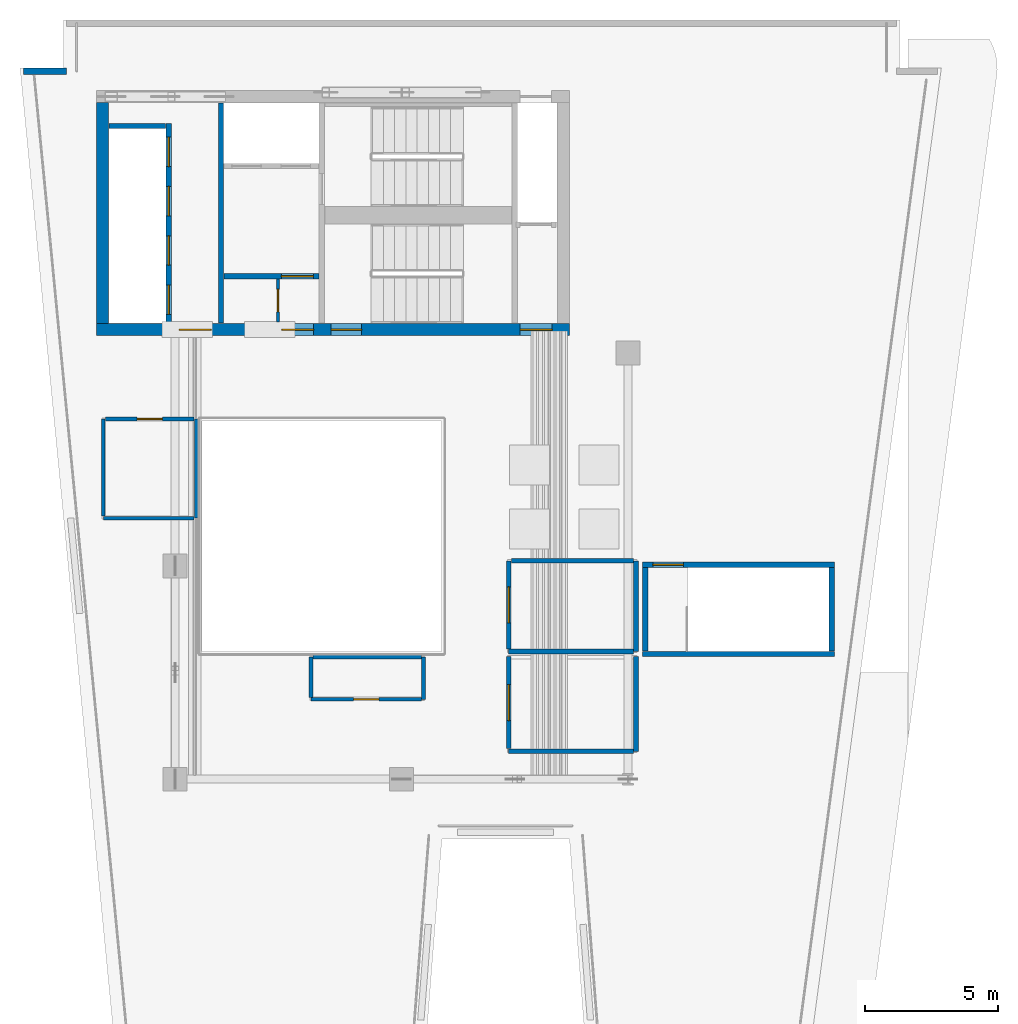
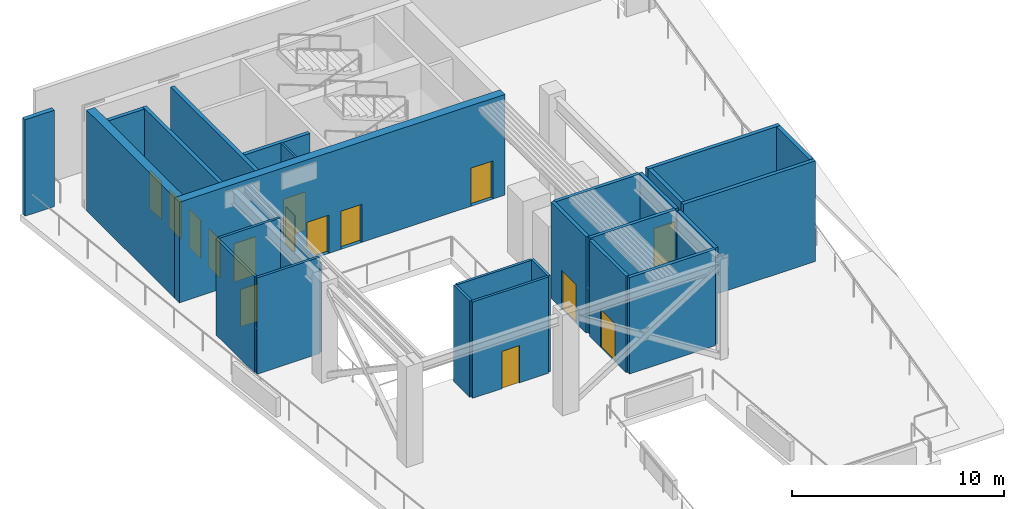
# One storey, part 2 of 8: 27 walls, 15 doors, 15 openings.
"""IFC4 building model written with IfcOpenShell, lengths in metres."""

import ifcopenshell
import ifcopenshell.guid

model = None  # the IFC model being written
_history = None  # IfcOwnerHistory: only IFC2X3 demands one
_inside = {}  # id of a spatial element -> (the spatial element, [elements in it])
_under = {}  # id of a project, library or spatial element -> (it, [spatial elements below it])
_declared = {}  # id of a project -> (the project, [libraries it declares])
_typed = {}  # id of a type object -> (the type object, [elements of that type])
_made_of = {}  # id of a material, layer set ... -> (it, [elements and type objects made of it])


def new_model(schema):
    """Start an empty IFC model of exactly this schema.

    Asked for "IFC4X3", IfcOpenShell would pick the latest addendum, in which some entities
    have other attributes; the version numbers below select the first issue.
    IFC2X3 requires an IfcOwnerHistory on every rooted entity: one is made here for all.
    """
    global model, _history
    if schema == "IFC4X3":
        model = ifcopenshell.file(schema_version=(4, 3, 0, 0))
    else:
        model = ifcopenshell.file(schema=schema)
    _inside.clear()
    _under.clear()
    _declared.clear()
    _typed.clear()
    _made_of.clear()
    _history = None
    if model.schema == "IFC2X3":
        org = make("IfcOrganization", Name="unknown")
        user = make(
            "IfcPersonAndOrganization",
            ThePerson=make("IfcPerson", FamilyName="unknown"),
            TheOrganization=org,
        )
        app = make(
            "IfcApplication",
            ApplicationDeveloper=org,
            Version="unknown",
            ApplicationFullName="unknown",
            ApplicationIdentifier="unknown",
        )
        _history = make(
            "IfcOwnerHistory",
            OwningUser=user,
            OwningApplication=app,
            ChangeAction="ADDED",
            CreationDate=0,
        )
    return model


def make(cls, **values):
    """One entity of the class cls with the attributes given. An attribute that is None is left unset."""
    return model.create_entity(
        cls, **{name: value for name, value in values.items() if value is not None}
    )


def rooted(cls, **values):
    """An entity with a GlobalId (a new one), such as an element, a storey or a relation."""
    return make(cls, GlobalId=ifcopenshell.guid.new(), OwnerHistory=_history, **values)


def si_unit(unit_type, name, prefix=None):
    """IfcSIUnit, for example si_unit("LENGTHUNIT", "METRE", prefix="MILLI")."""
    return make("IfcSIUnit", UnitType=unit_type, Prefix=prefix, Name=name)


def assignment(units):
    """IfcUnitAssignment: the units of a project."""
    return None if units is None else make("IfcUnitAssignment", Units=units)


def point(xyz):
    """IfcCartesianPoint."""
    return None if xyz is None else make("IfcCartesianPoint", Coordinates=xyz)


def direction(xyz):
    """IfcDirection."""
    return None if xyz is None else make("IfcDirection", DirectionRatios=xyz)


def frame(location, z_axis=None, x_axis=None):
    """IfcAxis2Placement3D, a coordinate frame: its origin and axes. An axis left out is left unset."""
    return make(
        "IfcAxis2Placement3D",
        Location=point(location),
        Axis=direction(z_axis),
        RefDirection=direction(x_axis),
    )


def frame_2d(location, x_axis=None):
    """IfcAxis2Placement2D, a coordinate frame in the plane: its origin and x axis."""
    return make(
        "IfcAxis2Placement2D", Location=point(location), RefDirection=direction(x_axis)
    )


def origin():
    """The frame at (0, 0, 0) with its axes left unset."""
    return frame((0.0, 0.0, 0.0))


def place(relative_to, where):
    """IfcLocalPlacement: puts the frame where relative to a parent placement (None: the world)."""
    return make(
        "IfcLocalPlacement", PlacementRelTo=relative_to, RelativePlacement=where
    )


def context(
    kind, dimensions, precision=None, world=None, true_north=None, identifier=None
):
    """IfcGeometricRepresentationContext, for example the 3D "Model" context."""
    return make(
        "IfcGeometricRepresentationContext",
        ContextIdentifier=identifier,
        ContextType=kind,
        CoordinateSpaceDimension=dimensions,
        Precision=precision,
        WorldCoordinateSystem=world,
        TrueNorth=true_north,
    )


def subcontext(parent, identifier, kind, view, scale=None):
    """IfcGeometricRepresentationSubContext, for example "Body" below "Model"."""
    return make(
        "IfcGeometricRepresentationSubContext",
        ContextIdentifier=identifier,
        ContextType=kind,
        ParentContext=parent,
        TargetScale=scale,
        TargetView=view,
    )


def project(units=None, contexts=None):
    """IfcProject with its units and contexts."""
    return rooted(
        "IfcProject",
        Name="project",
        RepresentationContexts=contexts,
        UnitsInContext=assignment(units),
    )


def spatial(cls, under=None, at=None, **own):
    """A site, building, storey or space (cls), placed at a placement, below another one or the project."""
    s = rooted(cls, ObjectPlacement=at, **own)
    if under is not None:
        _under.setdefault(under.id(), (under, []))[1].append(s)
    return s


def profile(cls, at=None, kind="AREA", **sizes):
    """A parametric profile (cls). Its sizes go by their IFC names, for example OverallWidth=200.0."""
    return make(cls, ProfileType=kind, Position=at, **sizes)


def rectangle(**sizes):
    """IfcRectangleProfileDef."""
    return profile("IfcRectangleProfileDef", **sizes)


def extrude(swept, where, along, depth):
    """IfcExtrudedAreaSolid: the profile swept, set in the frame where, extruded along a direction by depth."""
    return make(
        "IfcExtrudedAreaSolid",
        SweptArea=swept,
        Position=where,
        ExtrudedDirection=direction(along),
        Depth=depth,
    )


def shape(context_of_items, identifier, shape_type, items):
    """IfcShapeRepresentation: the items that make up one representation, for example the "Body"."""
    return make(
        "IfcShapeRepresentation",
        ContextOfItems=context_of_items,
        RepresentationIdentifier=identifier,
        RepresentationType=shape_type,
        Items=items,
    )


def material(Name=None, Category=None):
    """IfcMaterial."""
    return make("IfcMaterial", Name=Name, Category=Category)


def layer(
    of_material, thickness, ventilated=None, Name=None, Category=None, Priority=None
):
    """IfcMaterialLayer: one layer of a wall or slab, of a material (None: an air gap)."""
    return make(
        "IfcMaterialLayer",
        Material=of_material,
        LayerThickness=thickness,
        IsVentilated=ventilated,
        Name=Name,
        Category=Category,
        Priority=Priority,
    )


def layer_set(layers, Name=None):
    """IfcMaterialLayerSet."""
    return make("IfcMaterialLayerSet", MaterialLayers=layers, LayerSetName=Name)


def made_of(thing, what):
    """Note that an element or type object is made of a material, layer set ...; save() writes the relation."""
    if what is not None:
        _made_of.setdefault(what.id(), (what, []))[1].append(thing)
    return thing


def type_object(cls, material=None, **own):
    """A type object (cls), such as IfcWallType, which elements share."""
    return made_of(rooted(cls, **own), material)


def element(
    cls,
    number,
    at=None,
    inside=None,
    cuts=None,
    type_object=None,
    material=None,
    context=None,
    identifier="Body",
    shape_type=None,
    held_by="IfcProductDefinitionShape",
    body=None,
    shapes=None,
    **own,
):
    """One element of the class cls, such as IfcWall. Its Tag is "e" and its number.

    at: its placement. inside: the storey or other place that contains it. cuts: it is an
    opening in that element (IfcRelVoidsElement). A single representation is given by context,
    identifier, shape_type and body (its items); several are given by shapes. held_by: the class
    of the entity that holds the representations. save() writes the other relations.
    """
    e = rooted(cls, Tag="e%d" % number, ObjectPlacement=at, **own)
    if body is not None:
        shapes = [shape(context, identifier, shape_type, body)]
    if shapes is not None:
        e.Representation = make(held_by, Representations=shapes)
    if inside is not None:
        _inside.setdefault(inside.id(), (inside, []))[1].append(e)
    if cuts is not None:
        rooted(
            "IfcRelVoidsElement", RelatingBuildingElement=cuts, RelatedOpeningElement=e
        )
    if type_object is not None:
        _typed.setdefault(type_object.id(), (type_object, []))[1].append(e)
    return made_of(e, material)


def fill(opening, filler):
    """IfcRelFillsElement: the door or window that sits in an opening."""
    return rooted(
        "IfcRelFillsElement",
        RelatingOpeningElement=opening,
        RelatedBuildingElement=filler,
    )


def aggregate(whole, parts):
    """IfcRelAggregates: a whole, such as a stair, and the parts it consists of."""
    return rooted("IfcRelAggregates", RelatingObject=whole, RelatedObjects=parts)


def save(model, path):
    """Write the relations noted so far, then the file.

    IfcRelAggregates (storeys below a building ...), IfcRelContainedInSpatialStructure (elements
    in a storey), IfcRelDefinesByType, IfcRelAssociatesMaterial and IfcRelDeclares: one each for
    every whole, place, type object, material and project.
    """
    for whole, parts in _under.values():
        aggregate(whole, parts)
    for where, things in _inside.values():
        rooted(
            "IfcRelContainedInSpatialStructure",
            RelatedElements=things,
            RelatingStructure=where,
        )
    for kind, things in _typed.values():
        rooted("IfcRelDefinesByType", RelatedObjects=things, RelatingType=kind)
    for what, things in _made_of.values():
        rooted("IfcRelAssociatesMaterial", RelatedObjects=things, RelatingMaterial=what)
    for by, libraries in _declared.values():
        rooted("IfcRelDeclares", RelatingContext=by, RelatedDefinitions=libraries)
    model.write(path)


model = new_model("IFC4")

# Units and contexts
model_context = context("Model", 3, precision=1e-05, world=origin(), true_north=direction((0.0, 1.0)))
body_context = subcontext(model_context, "Body", "Model", "MODEL_VIEW")
ifc_project = project(units=[si_unit("LENGTHUNIT", "METRE"), si_unit("AREAUNIT", "SQUARE_METRE"), si_unit("VOLUMEUNIT", "CUBIC_METRE"), si_unit("PLANEANGLEUNIT", "RADIAN"), si_unit("MASSUNIT", "GRAM", prefix="KILO")], contexts=[model_context])

# Site, building, storey
site_placement = place(None, origin())
site = spatial("IfcSite", under=ifc_project, at=site_placement, CompositionType="ELEMENT")
building_placement = place(site_placement, origin())
building = spatial("IfcBuilding", under=site, at=building_placement, Name="Caeloran Harvest Quay", CompositionType="ELEMENT")
storey_placement = place(building_placement, frame((0.0, 0.0, 250.89990234375)))
storey = spatial("IfcBuildingStorey", under=building, at=storey_placement, Name="L60", CompositionType="ELEMENT", Elevation=250.89990234375)

# Wall
ifc_material_1 = material(Name="Precast concrete C50/60", Category="concrete")
ifc_layer_1 = layer(ifc_material_1, 0.239990234375, Name="Precast concrete C50/60")
ifc_layer_set_1 = layer_set([ifc_layer_1], Name="Precast concrete C50/60")
wall_type_1 = type_object("IfcWallType", Name="ENV-WALL-EW-240", PredefinedType="STANDARD", material=ifc_layer_set_1)
wall_1_placement = place(storey_placement, frame((2.806396484375, 41.580078125, 0.0), z_axis=(0.0, 0.0, 1.0), x_axis=(1.0, 0.0, 0.0)))
element("IfcWall", 1, at=wall_1_placement, inside=storey, type_object=wall_type_1, Name="L60 Exterior Precast Concrete Facade Wall 4", PredefinedType="STANDARD", context=body_context, shape_type="SweptSolid", body=[
    extrude(rectangle(XDim=1.613525390625, YDim=0.239990234375, at=frame_2d((0.806640625, 0.0))), origin(), (0.0, 0.0, 1.0), 5.550048828125),
])

# Wall, opening, door
ifc_material_2 = material(Name="Fire-Resisting Gypsum Core Riser Partition", Category="gypsum")
ifc_layer_2 = layer(ifc_material_2, 0.10009765625, Name="Fire-Resisting Gypsum Core Riser Partition")
ifc_layer_set_2 = layer_set([ifc_layer_2], Name="Fire-Resisting Gypsum Core Riser Partition")
wall_type_2 = type_object("IfcWallType", Name="INT-WALL-PW-100", PredefinedType="PARTITIONING", material=ifc_layer_set_2)
wall_2_placement = place(storey_placement, frame((12.360107421875, 32.159912109375, 0.0), z_axis=(0.0, 0.0, 1.0), x_axis=(0.0, 1.0, 0.0)))
wall_2 = element("IfcWall", 2, at=wall_2_placement, inside=storey, type_object=wall_type_2, Name="L60 Core Store Partition Wall", PredefinedType="PARTITIONING", context=body_context, shape_type="SweptSolid", body=[
    extrude(rectangle(XDim=1.6201171875, YDim=0.10009765625, at=frame_2d((0.81005859375, 0.0))), origin(), (0.0, 0.0, 1.0), 5.550048828125),
])
opening_1_placement = place(wall_2_placement, frame((0.3798828125, 0.0, 0.0)))
opening_1 = element("IfcOpeningElement", 3, at=opening_1_placement, cuts=wall_2, Name="Opening SV-01", PredefinedType="OPENING", context=body_context, shape_type="SweptSolid", body=[
    extrude(rectangle(XDim=0.85009765625, YDim=2.10009765625, at=frame_2d((0.425048828125, 1.050048828125))), frame((0.0, 0.06005859375, 0.0), z_axis=(0.0, -1.0, 0.0), x_axis=(1.0, 0.0, 0.0)), (0.0, 0.0, 1.0), 0.1201171875),
])
ifc_material_3 = material(Name="Galvanized Painted Steel", Category="steel")
door_type_1 = type_object("IfcDoorType", Name="INTDOOR-SV-01", OperationType="NOTDEFINED", PredefinedType="DOOR", material=ifc_material_3)
door_1_placement = place(opening_1_placement, origin())
door_1 = element("IfcDoor", 4, at=door_1_placement, inside=storey, type_object=door_type_1, Name="L60 Core Service Room Access Door", OperationType="SINGLE_SWING_RIGHT", OverallHeight=2.10009765625, OverallWidth=0.85009765625, PredefinedType="DOOR", context=body_context, shape_type="SweptSolid", body=[
    extrude(rectangle(XDim=0.85009765625, YDim=2.10009765625, at=frame_2d((0.425048828125, 1.050048828125))), frame((0.0, 0.02490234375, 0.0), z_axis=(0.0, -1.0, 0.0), x_axis=(1.0, 0.0, 0.0)), (0.0, 0.0, 1.0), 0.050048828125),
])
fill(opening_1, door_1)

# Wall
ifc_material_4 = material(Name="Moisture-Resistant Cement-Board Sanitary Partition", Category="gypsum")
ifc_layer_3 = layer(ifc_material_4, 0.139892578125, Name="Moisture-Resistant Cement-Board Sanitary Partition")
ifc_layer_set_3 = layer_set([ifc_layer_3], Name="Moisture-Resistant Cement-Board Sanitary Partition")
wall_type_3 = type_object("IfcWallType", Name="INT-WALL-PW-140", PredefinedType="PARTITIONING", material=ifc_layer_set_3)
wall_3_placement = place(storey_placement, frame((17.820068359375, 19.590087890625, 0.0), z_axis=(0.0, 0.0, 1.0), x_axis=(0.0, -1.0, 0.0)))
element("IfcWall", 5, at=wall_3_placement, inside=storey, type_object=wall_type_3, Name="L60 Refuge Male Washroom WC Partition Wall", PredefinedType="PARTITIONING", context=body_context, shape_type="SweptSolid", body=[
    extrude(rectangle(XDim=1.590087890625, YDim=0.139892578125, at=frame_2d((0.794921875, 0.0))), origin(), (0.0, 0.0, 1.0), 5.550048828125),
])

# Wall, opening, door
wall_4_placement = place(storey_placement, frame((17.7451171875, 18.0, 0.0), z_axis=(0.0, 0.0, 1.0), x_axis=(-1.0, 0.0, 0.0)))
wall_4 = element("IfcWall", 6, at=wall_4_placement, inside=storey, type_object=wall_type_3, Name="L60 Refuge Male Washroom WC Partition Wall", PredefinedType="PARTITIONING", context=body_context, shape_type="SweptSolid", body=[
    extrude(rectangle(XDim=4.14501953125, YDim=0.139892578125, at=frame_2d((2.072509765625, 0.0))), origin(), (0.0, 0.0, 1.0), 5.550048828125),
])
opening_2_placement = place(wall_4_placement, frame((1.597412109375, 0.0, 0.0)))
opening_2 = element("IfcOpeningElement", 7, at=opening_2_placement, cuts=wall_4, Name="Opening WC-01", PredefinedType="OPENING", context=body_context, shape_type="SweptSolid", body=[
    extrude(rectangle(XDim=0.949951171875, YDim=2.14990234375, at=frame_2d((0.47509765625, 1.074951171875))), frame((0.0, 0.080078125, 0.0), z_axis=(0.0, -1.0, 0.0), x_axis=(1.0, 0.0, 0.0)), (0.0, 0.0, 1.0), 0.159912109375),
])
ifc_material_5 = material(Name="High-Pressure Laminate Moisture-Resistant Timber", Category="wood")
door_type_2 = type_object("IfcDoorType", Name="INTDOOR-WC-01", OperationType="NOTDEFINED", PredefinedType="DOOR", material=ifc_material_5)
door_2_placement = place(opening_2_placement, origin())
door_2 = element("IfcDoor", 8, at=door_2_placement, inside=storey, type_object=door_type_2, Name="L60 Refuge Male Washroom WC Access Door", OperationType="SINGLE_SWING_LEFT", OverallHeight=2.14990234375, OverallWidth=0.949951171875, PredefinedType="DOOR", context=body_context, shape_type="SweptSolid", body=[
    extrude(rectangle(XDim=0.949951171875, YDim=2.14990234375, at=frame_2d((0.47509765625, 1.074951171875))), frame((0.0, 0.02490234375, 0.0), z_axis=(0.0, -1.0, 0.0), x_axis=(1.0, 0.0, 0.0)), (0.0, 0.0, 1.0), 0.050048828125),
])
fill(opening_2, door_2)

# Walls
wall_5_placement = place(storey_placement, frame((13.60009765625, 18.074951171875, 0.0), z_axis=(0.0, 0.0, 1.0), x_axis=(0.0, 1.0, 0.0)))
element("IfcWall", 9, at=wall_5_placement, inside=storey, type_object=wall_type_3, Name="L60 Refuge Male Washroom WC Partition Wall", PredefinedType="PARTITIONING", context=body_context, shape_type="SweptSolid", body=[
    extrude(rectangle(XDim=1.51513671875, YDim=0.139892578125, at=frame_2d((0.757568359375, 0.0))), origin(), (0.0, 0.0, 1.0), 5.550048828125),
])
wall_6_placement = place(storey_placement, frame((13.675048828125, 19.590087890625, 0.0), z_axis=(0.0, 0.0, 1.0), x_axis=(1.0, 0.0, 0.0)))
element("IfcWall", 10, at=wall_6_placement, inside=storey, type_object=wall_type_3, Name="L60 Refuge Male Washroom WC Partition Wall", PredefinedType="PARTITIONING", context=body_context, shape_type="SweptSolid", body=[
    extrude(rectangle(XDim=4.070068359375, YDim=0.139892578125, at=frame_2d((2.03515625, 0.0))), origin(), (0.0, 0.0, 1.0), 5.550048828125),
])
wall_7_placement = place(storey_placement, frame((9.2900390625, 28.52001953125, 0.0), z_axis=(0.0, 0.0, 1.0), x_axis=(0.0, -1.0, 0.0)))
element("IfcWall", 11, at=wall_7_placement, inside=storey, type_object=wall_type_3, Name="L60 Refuge Accessible Unisex Washroom WC Partition Wall", PredefinedType="PARTITIONING", context=body_context, shape_type="SweptSolid", body=[
    extrude(rectangle(XDim=3.719970703125, YDim=0.139892578125, at=frame_2d((1.85986328125, 0.0))), origin(), (0.0, 0.0, 1.0), 5.175048828125),
])
wall_8_placement = place(storey_placement, frame((9.215087890625, 24.800048828125, 0.0), z_axis=(0.0, 0.0, 1.0), x_axis=(-1.0, 0.0, 0.0)))
element("IfcWall", 12, at=wall_8_placement, inside=storey, type_object=wall_type_3, Name="L60 Refuge Accessible Unisex Washroom WC Partition Wall", PredefinedType="PARTITIONING", context=body_context, shape_type="SweptSolid", body=[
    extrude(rectangle(XDim=3.4150390625, YDim=0.139892578125, at=frame_2d((1.70751953125, 0.0))), origin(), (0.0, 0.0, 1.0), 5.550048828125),
])
wall_9_placement = place(storey_placement, frame((5.800048828125, 24.875, 0.0), z_axis=(0.0, 0.0, 1.0), x_axis=(0.0, 1.0, 0.0)))
element("IfcWall", 13, at=wall_9_placement, inside=storey, type_object=wall_type_3, Name="L60 Refuge Accessible Unisex Washroom WC Partition Wall", PredefinedType="PARTITIONING", context=body_context, shape_type="SweptSolid", body=[
    extrude(rectangle(XDim=3.64501953125, YDim=0.139892578125, at=frame_2d((1.822509765625, 0.0))), origin(), (0.0, 0.0, 1.0), 5.550048828125),
])

# Wall, opening, door
wall_10_placement = place(storey_placement, frame((5.875, 28.52001953125, 0.0), z_axis=(0.0, 0.0, 1.0), x_axis=(1.0, 0.0, 0.0)))
wall_10 = element("IfcWall", 14, at=wall_10_placement, inside=storey, type_object=wall_type_3, Name="L60 Refuge Accessible Unisex Washroom WC Partition Wall", PredefinedType="PARTITIONING", context=body_context, shape_type="SweptSolid", body=[
    extrude(rectangle(XDim=3.340087890625, YDim=0.139892578125, at=frame_2d((1.669921875, 0.0))), origin(), (0.0, 0.0, 1.0), 5.550048828125),
])
opening_3_placement = place(wall_10_placement, frame((1.195068359375, 0.0, 0.0)))
opening_3 = element("IfcOpeningElement", 15, at=opening_3_placement, cuts=wall_10, Name="Opening WC-01", PredefinedType="OPENING", context=body_context, shape_type="SweptSolid", body=[
    extrude(rectangle(XDim=0.949951171875, YDim=2.14990234375, at=frame_2d((0.47509765625, 1.074951171875))), frame((0.0, 0.080078125, 0.0), z_axis=(0.0, -1.0, 0.0), x_axis=(1.0, 0.0, 0.0)), (0.0, 0.0, 1.0), 0.159912109375),
])
door_3_placement = place(opening_3_placement, origin())
door_3 = element("IfcDoor", 16, at=door_3_placement, inside=storey, type_object=door_type_2, Name="L60 Refuge Accessible Unisex Washroom WC Access Door", OperationType="SINGLE_SWING_RIGHT", OverallHeight=2.14990234375, OverallWidth=0.949951171875, PredefinedType="DOOR", context=body_context, shape_type="SweptSolid", body=[
    extrude(rectangle(XDim=0.949951171875, YDim=2.14990234375, at=frame_2d((0.47509765625, 1.074951171875))), frame((0.0, 0.02490234375, 0.0), z_axis=(0.0, -1.0, 0.0), x_axis=(1.0, 0.0, 0.0)), (0.0, 0.0, 1.0), 0.050048828125),
])
fill(opening_3, door_3)

# Walls
ifc_material_6 = material(Name="Autoclaved Aerated Concrete Blockwork", Category="masonry")
ifc_layer_4 = layer(ifc_material_6, 0.179931640625, Name="Autoclaved Aerated Concrete Blockwork")
ifc_layer_set_4 = layer_set([ifc_layer_4], Name="Autoclaved Aerated Concrete Blockwork")
wall_type_4 = type_object("IfcWallType", Name="INT-WALL-PW-180", PredefinedType="PARTITIONING", material=ifc_layer_set_4)
wall_11_placement = place(storey_placement, frame((25.800048828125, 23.199951171875, 0.0), z_axis=(0.0, 0.0, 1.0), x_axis=(0.0, -1.0, 0.0)))
element("IfcWall", 17, at=wall_11_placement, inside=storey, type_object=wall_type_4, Name="L60 Dedicated Outdoor Air Handling and Dehumidification Plant Room Partition Wall", PredefinedType="PARTITIONING", context=body_context, shape_type="SweptSolid", body=[
    extrude(rectangle(XDim=3.39990234375, YDim=0.179931640625, at=frame_2d((1.699951171875, 0.0))), origin(), (0.0, 0.0, 1.0), 5.550048828125),
])
wall_12_placement = place(storey_placement, frame((25.705078125, 19.800048828125, 0.0), z_axis=(0.0, 0.0, 1.0), x_axis=(-1.0, 0.0, 0.0)))
element("IfcWall", 18, at=wall_12_placement, inside=storey, type_object=wall_type_4, Name="L60 Dedicated Outdoor Air Handling and Dehumidification Plant Room Partition Wall", PredefinedType="PARTITIONING", context=body_context, shape_type="SweptSolid", body=[
    extrude(rectangle(XDim=4.68505859375, YDim=0.179931640625, at=frame_2d((2.342529296875, 0.0))), origin(), (0.0, 0.0, 1.0), 5.550048828125),
])

# Wall, opening, door
wall_13_placement = place(storey_placement, frame((21.02001953125, 19.89501953125, 0.0), z_axis=(0.0, 0.0, 1.0), x_axis=(0.0, 1.0, 0.0)))
wall_13 = element("IfcWall", 19, at=wall_13_placement, inside=storey, type_object=wall_type_4, Name="L60 Dedicated Outdoor Air Handling and Dehumidification Plant Room Partition Wall", PredefinedType="PARTITIONING", context=body_context, shape_type="SweptSolid", body=[
    extrude(rectangle(XDim=3.304931640625, YDim=0.179931640625, at=frame_2d((1.65234375, 0.0))), origin(), (0.0, 0.0, 1.0), 5.550048828125),
])
opening_4_placement = place(wall_13_placement, frame((0.9775390625, 0.0, 0.0)))
opening_4 = element("IfcOpeningElement", 20, at=opening_4_placement, cuts=wall_13, Name="Opening ID-02", PredefinedType="OPENING", context=body_context, shape_type="SweptSolid", body=[
    extrude(rectangle(XDim=1.35009765625, YDim=2.199951171875, at=frame_2d((0.675048828125, 1.10009765625))), frame((0.0, 0.10009765625, 0.0), z_axis=(0.0, -1.0, 0.0), x_axis=(1.0, 0.0, 0.0)), (0.0, 0.0, 1.0), 0.199951171875),
])
ifc_material_7 = material(Name="Powder-Coated Steel Acoustic Leaf", Category="steel")
door_type_3 = type_object("IfcDoorType", Name="INTDOOR-ID-02", OperationType="NOTDEFINED", PredefinedType="DOOR", material=ifc_material_7)
door_4_placement = place(opening_4_placement, origin())
door_4 = element("IfcDoor", 21, at=door_4_placement, inside=storey, type_object=door_type_3, Name="L60 Dedicated Outdoor Air Handling and Dehumidification Plant Room Access Door", OperationType="SINGLE_SWING_LEFT", OverallHeight=2.199951171875, OverallWidth=1.35009765625, PredefinedType="DOOR", context=body_context, shape_type="SweptSolid", body=[
    extrude(rectangle(XDim=1.35009765625, YDim=2.199951171875, at=frame_2d((0.675048828125, 1.10009765625))), frame((0.0, 0.02490234375, 0.0), z_axis=(0.0, -1.0, 0.0), x_axis=(1.0, 0.0, 0.0)), (0.0, 0.0, 1.0), 0.050048828125),
])
fill(opening_4, door_4)

# Walls
wall_14_placement = place(storey_placement, frame((21.114990234375, 23.199951171875, 0.0), z_axis=(0.0, 0.0, 1.0), x_axis=(1.0, 0.0, 0.0)))
element("IfcWall", 22, at=wall_14_placement, inside=storey, type_object=wall_type_4, Name="L60 Dedicated Outdoor Air Handling and Dehumidification Plant Room Partition Wall", PredefinedType="PARTITIONING", context=body_context, shape_type="SweptSolid", body=[
    extrude(rectangle(XDim=4.590087890625, YDim=0.179931640625, at=frame_2d((2.294921875, 0.0))), origin(), (0.0, 0.0, 1.0), 5.550048828125),
])
wall_15_placement = place(storey_placement, frame((25.800048828125, 19.60009765625, 0.0), z_axis=(0.0, 0.0, 1.0), x_axis=(0.0, -1.0, 0.0)))
element("IfcWall", 23, at=wall_15_placement, inside=storey, type_object=wall_type_4, Name="L60 Zone Chilled-Water Heat Exchanger and Pump Plant Room Partition Wall", PredefinedType="PARTITIONING", context=body_context, shape_type="SweptSolid", body=[
    extrude(rectangle(XDim=3.550048828125, YDim=0.179931640625, at=frame_2d((1.77490234375, 0.0))), origin(), (0.0, 0.0, 1.0), 5.550048828125),
])
wall_16_placement = place(storey_placement, frame((25.705078125, 16.050048828125, 0.0), z_axis=(0.0, 0.0, 1.0), x_axis=(-1.0, 0.0, 0.0)))
element("IfcWall", 24, at=wall_16_placement, inside=storey, type_object=wall_type_4, Name="L60 Zone Chilled-Water Heat Exchanger and Pump Plant Room Partition Wall", PredefinedType="PARTITIONING", context=body_context, shape_type="SweptSolid", body=[
    extrude(rectangle(XDim=4.68505859375, YDim=0.179931640625, at=frame_2d((2.342529296875, 0.0))), origin(), (0.0, 0.0, 1.0), 5.550048828125),
])

# Wall, opening, door
wall_17_placement = place(storey_placement, frame((21.02001953125, 16.14501953125, 0.0), z_axis=(0.0, 0.0, 1.0), x_axis=(0.0, 1.0, 0.0)))
wall_17 = element("IfcWall", 25, at=wall_17_placement, inside=storey, type_object=wall_type_4, Name="L60 Zone Chilled-Water Heat Exchanger and Pump Plant Room Partition Wall", PredefinedType="PARTITIONING", context=body_context, shape_type="SweptSolid", body=[
    extrude(rectangle(XDim=3.455078125, YDim=0.179931640625, at=frame_2d((1.7275390625, 0.0))), origin(), (0.0, 0.0, 1.0), 5.550048828125),
])
opening_5_placement = place(wall_17_placement, frame((1.052490234375, 0.0, 0.0)))
opening_5 = element("IfcOpeningElement", 26, at=opening_5_placement, cuts=wall_17, Name="Opening ID-02", PredefinedType="OPENING", context=body_context, shape_type="SweptSolid", body=[
    extrude(rectangle(XDim=1.35009765625, YDim=2.199951171875, at=frame_2d((0.675048828125, 1.10009765625))), frame((0.0, 0.10009765625, 0.0), z_axis=(0.0, -1.0, 0.0), x_axis=(1.0, 0.0, 0.0)), (0.0, 0.0, 1.0), 0.199951171875),
])
door_5_placement = place(opening_5_placement, origin())
door_5 = element("IfcDoor", 27, at=door_5_placement, inside=storey, type_object=door_type_3, Name="L60 Zone Chilled-Water Heat Exchanger and Pump Plant Room Access Door", OperationType="SINGLE_SWING_RIGHT", OverallHeight=2.199951171875, OverallWidth=1.35009765625, PredefinedType="DOOR", context=body_context, shape_type="SweptSolid", body=[
    extrude(rectangle(XDim=1.35009765625, YDim=2.199951171875, at=frame_2d((0.675048828125, 1.10009765625))), frame((0.0, 0.02490234375, 0.0), z_axis=(0.0, -1.0, 0.0), x_axis=(1.0, 0.0, 0.0)), (0.0, 0.0, 1.0), 0.050048828125),
])
fill(opening_5, door_5)

# Wall, openings, doors
ifc_material_8 = material(Name="Concrete C50/60", Category="concrete")
ifc_layer_5 = layer(ifc_material_8, 0.199951171875, Name="Concrete C50/60")
ifc_layer_set_5 = layer_set([ifc_layer_5], Name="Concrete C50/60")
wall_type_5 = type_object("IfcWallType", Name="INT-WALL-SW-200", PredefinedType="PARTITIONING", material=ifc_layer_set_5)
wall_18_placement = place(storey_placement, frame((8.260009765625, 32.1201171875, 0.0), z_axis=(0.0, 0.0, 1.0), x_axis=(0.0, 1.0, 0.0)))
wall_18 = element("IfcWall", 28, at=wall_18_placement, inside=storey, type_object=wall_type_5, Name="L60 Bank 3 Lift Shaft Wall", PredefinedType="PARTITIONING", context=body_context, shape_type="SweptSolid", body=[
    extrude(rectangle(XDim=7.5, YDim=0.199951171875, at=frame_2d((3.75, 0.0))), origin(), (0.0, 0.0, 1.0), 5.550048828125),
])
opening_6_placement = place(wall_18_placement, frame((0.330078125, 0.0, 0.0)))
opening_6 = element("IfcOpeningElement", 29, at=opening_6_placement, cuts=wall_18, Name="Opening LD-01", PredefinedType="OPENING", context=body_context, shape_type="SweptSolid", body=[
    extrude(rectangle(XDim=1.10009765625, YDim=2.199951171875, at=frame_2d((0.550048828125, 1.10009765625))), frame((0.0, 0.10986328125, 0.0), z_axis=(0.0, -1.0, 0.0), x_axis=(1.0, 0.0, 0.0)), (0.0, 0.0, 1.0), 0.219970703125),
])
opening_7_placement = place(wall_18_placement, frame((2.179931640625, 0.0, 0.0)))
opening_7 = element("IfcOpeningElement", 30, at=opening_7_placement, cuts=wall_18, Name="Opening LD-01", PredefinedType="OPENING", context=body_context, shape_type="SweptSolid", body=[
    extrude(rectangle(XDim=1.10009765625, YDim=2.199951171875, at=frame_2d((0.550048828125, 1.10009765625))), frame((0.0, 0.10986328125, 0.0), z_axis=(0.0, -1.0, 0.0), x_axis=(1.0, 0.0, 0.0)), (0.0, 0.0, 1.0), 0.219970703125),
])
opening_8_placement = place(wall_18_placement, frame((4.030029296875, 0.0, 0.0)))
opening_8 = element("IfcOpeningElement", 31, at=opening_8_placement, cuts=wall_18, Name="Opening LD-01", PredefinedType="OPENING", context=body_context, shape_type="SweptSolid", body=[
    extrude(rectangle(XDim=1.10009765625, YDim=2.199951171875, at=frame_2d((0.550048828125, 1.10009765625))), frame((0.0, 0.10986328125, 0.0), z_axis=(0.0, -1.0, 0.0), x_axis=(1.0, 0.0, 0.0)), (0.0, 0.0, 1.0), 0.219970703125),
])
opening_9_placement = place(wall_18_placement, frame((5.8798828125, 0.0, 0.0)))
opening_9 = element("IfcOpeningElement", 32, at=opening_9_placement, cuts=wall_18, Name="Opening LD-01", PredefinedType="OPENING", context=body_context, shape_type="SweptSolid", body=[
    extrude(rectangle(XDim=1.10009765625, YDim=2.199951171875, at=frame_2d((0.550048828125, 1.10009765625))), frame((0.0, 0.10986328125, 0.0), z_axis=(0.0, -1.0, 0.0), x_axis=(1.0, 0.0, 0.0)), (0.0, 0.0, 1.0), 0.219970703125),
])
ifc_material_9 = material(Name="Stainless Steel Grade 316", Category="steel")
door_type_4 = type_object("IfcDoorType", Name="INTDOOR-LD-01", OperationType="NOTDEFINED", PredefinedType="DOOR", material=ifc_material_9)
door_6_placement = place(opening_6_placement, origin())
door_6 = element("IfcDoor", 33, at=door_6_placement, inside=storey, type_object=door_type_4, Name="Lift P3-1 Sliding Landing Door (L60)", OperationType="DOUBLE_DOOR_SLIDING", OverallHeight=2.199951171875, OverallWidth=1.10009765625, PredefinedType="DOOR", context=body_context, shape_type="SweptSolid", body=[
    extrude(rectangle(XDim=1.10009765625, YDim=2.199951171875, at=frame_2d((0.550048828125, 1.10009765625))), frame((0.0, 0.02490234375, 0.0), z_axis=(0.0, -1.0, 0.0), x_axis=(1.0, 0.0, 0.0)), (0.0, 0.0, 1.0), 0.050048828125),
])
fill(opening_6, door_6)
door_7_placement = place(opening_7_placement, origin())
door_7 = element("IfcDoor", 34, at=door_7_placement, inside=storey, type_object=door_type_4, Name="Lift P3-2 Sliding Landing Door (L60)", OperationType="DOUBLE_DOOR_SLIDING", OverallHeight=2.199951171875, OverallWidth=1.10009765625, PredefinedType="DOOR", context=body_context, shape_type="SweptSolid", body=[
    extrude(rectangle(XDim=1.10009765625, YDim=2.199951171875, at=frame_2d((0.550048828125, 1.10009765625))), frame((0.0, 0.02490234375, 0.0), z_axis=(0.0, -1.0, 0.0), x_axis=(1.0, 0.0, 0.0)), (0.0, 0.0, 1.0), 0.050048828125),
])
fill(opening_7, door_7)
door_8_placement = place(opening_8_placement, origin())
door_8 = element("IfcDoor", 35, at=door_8_placement, inside=storey, type_object=door_type_4, Name="Lift P3-3 Sliding Landing Door (L60)", OperationType="DOUBLE_DOOR_SLIDING", OverallHeight=2.199951171875, OverallWidth=1.10009765625, PredefinedType="DOOR", context=body_context, shape_type="SweptSolid", body=[
    extrude(rectangle(XDim=1.10009765625, YDim=2.199951171875, at=frame_2d((0.550048828125, 1.10009765625))), frame((0.0, 0.02490234375, 0.0), z_axis=(0.0, -1.0, 0.0), x_axis=(1.0, 0.0, 0.0)), (0.0, 0.0, 1.0), 0.050048828125),
])
fill(opening_8, door_8)
door_9_placement = place(opening_9_placement, origin())
door_9 = element("IfcDoor", 36, at=door_9_placement, inside=storey, type_object=door_type_4, Name="Lift P3-4 Sliding Landing Door (L60)", OperationType="DOUBLE_DOOR_SLIDING", OverallHeight=2.199951171875, OverallWidth=1.10009765625, PredefinedType="DOOR", context=body_context, shape_type="SweptSolid", body=[
    extrude(rectangle(XDim=1.10009765625, YDim=2.199951171875, at=frame_2d((0.550048828125, 1.10009765625))), frame((0.0, 0.02490234375, 0.0), z_axis=(0.0, -1.0, 0.0), x_axis=(1.0, 0.0, 0.0)), (0.0, 0.0, 1.0), 0.050048828125),
])
fill(opening_9, door_9)

# Walls
wall_19_placement = place(storey_placement, frame((6.02001953125, 39.52001953125, 0.0), z_axis=(0.0, 0.0, 1.0), x_axis=(1.0, 0.0, 0.0)))
element("IfcWall", 37, at=wall_19_placement, inside=storey, type_object=wall_type_5, Name="L60 Bank 3 Lift Shaft North End Wall", PredefinedType="PARTITIONING", context=body_context, shape_type="SweptSolid", body=[
    extrude(rectangle(XDim=2.119873046875, YDim=0.199951171875, at=frame_2d((1.06005859375, 0.0))), origin(), (0.0, 0.0, 1.0), 5.550048828125),
])
wall_20_placement = place(storey_placement, frame((10.219970703125, 32.1201171875, 0.0), z_axis=(0.0, 0.0, 1.0), x_axis=(0.0, 1.0, 0.0)))
element("IfcWall", 38, at=wall_20_placement, inside=storey, type_object=wall_type_5, Name="L60 Core Lobby Compartment Wall", PredefinedType="PARTITIONING", context=body_context, shape_type="SweptSolid", body=[
    extrude(rectangle(XDim=8.259765625, YDim=0.199951171875, at=frame_2d((4.1298828125, 0.0))), origin(), (0.0, 0.0, 1.0), 5.550048828125),
])

# Wall, opening, door
wall_21_placement = place(storey_placement, frame((10.340087890625, 33.8798828125, 0.0), z_axis=(0.0, 0.0, 1.0), x_axis=(1.0, 0.0, 0.0)))
wall_21 = element("IfcWall", 39, at=wall_21_placement, inside=storey, type_object=wall_type_5, Name="L60 Firefighting Lift Lobby Enclosure Wall", PredefinedType="PARTITIONING", context=body_context, shape_type="SweptSolid", body=[
    extrude(rectangle(XDim=3.559814453125, YDim=0.199951171875, at=frame_2d((1.77978515625, 0.0))), origin(), (0.0, 0.0, 1.0), 5.550048828125),
])
opening_10_placement = place(wall_21_placement, frame((2.14990234375, 0.0, 0.0)))
opening_10 = element("IfcOpeningElement", 40, at=opening_10_placement, cuts=wall_21, Name="Opening FD-01", PredefinedType="OPENING", context=body_context, shape_type="SweptSolid", body=[
    extrude(rectangle(XDim=1.199951171875, YDim=2.199951171875, at=frame_2d((0.60009765625, 1.10009765625))), frame((0.0, 0.10986328125, 0.0), z_axis=(0.0, -1.0, 0.0), x_axis=(1.0, 0.0, 0.0)), (0.0, 0.0, 1.0), 0.219970703125),
])
ifc_material_10 = material(Name="Steel", Category="steel")
door_type_5 = type_object("IfcDoorType", Name="INTDOOR-FD-01", OperationType="NOTDEFINED", PredefinedType="DOOR", material=ifc_material_10)
door_10_placement = place(opening_10_placement, origin())
door_10 = element("IfcDoor", 41, at=door_10_placement, inside=storey, type_object=door_type_5, Name="L60 Firefighting Lift Lobby Smoke-Seal Fire Door", OperationType="SINGLE_SWING_LEFT", OverallHeight=2.199951171875, OverallWidth=1.199951171875, PredefinedType="DOOR", context=body_context, shape_type="SweptSolid", body=[
    extrude(rectangle(XDim=1.199951171875, YDim=2.199951171875, at=frame_2d((0.60009765625, 1.10009765625))), frame((0.0, 0.02490234375, 0.0), z_axis=(0.0, -1.0, 0.0), x_axis=(1.0, 0.0, 0.0)), (0.0, 0.0, 1.0), 0.050048828125),
])
fill(opening_10, door_10)

# Wall, openings, doors
ifc_material_11 = material(Name="Concrete C60/75", Category="concrete")
ifc_layer_6 = layer(ifc_material_11, 0.449951171875, Name="Concrete C60/75")
ifc_layer_set_6 = layer_set([ifc_layer_6], Name="Concrete C60/75")
wall_type_6 = type_object("IfcWallType", Name="STR-WALL-CW-450", PredefinedType="SHEAR", material=ifc_layer_set_6)
wall_22_placement = place(storey_placement, frame((5.550048828125, 31.875, 0.0), z_axis=(0.0, 0.0, 1.0), x_axis=(1.0, 0.0, 0.0)))
wall_22 = element("IfcWall", 42, at=wall_22_placement, inside=storey, type_object=wall_type_6, Name="L60 Rear Core Shear Wall S", PredefinedType="SHEAR", context=body_context, shape_type="SweptSolid", body=[
    extrude(rectangle(XDim=17.75, YDim=0.449951171875, at=frame_2d((8.875, 0.0))), origin(), (0.0, 0.0, 1.0), 5.800048828125),
])
opening_11_placement = place(wall_22_placement, frame((3.10009765625, 0.0, 0.0)))
opening_11 = element("IfcOpeningElement", 43, at=opening_11_placement, cuts=wall_22, Name="Opening FD-01", PredefinedType="OPENING", context=body_context, shape_type="SweptSolid", body=[
    extrude(rectangle(XDim=1.199951171875, YDim=2.199951171875, at=frame_2d((0.60009765625, 1.10009765625))), frame((0.0, 0.23486328125, 0.0), z_axis=(0.0, -1.0, 0.0), x_axis=(1.0, 0.0, 0.0)), (0.0, 0.0, 1.0), 0.469970703125),
])
opening_12_placement = place(wall_22_placement, frame((6.949951171875, 0.0, 0.0)))
opening_12 = element("IfcOpeningElement", 44, at=opening_12_placement, cuts=wall_22, Name="Opening FD-01", PredefinedType="OPENING", context=body_context, shape_type="SweptSolid", body=[
    extrude(rectangle(XDim=1.199951171875, YDim=2.199951171875, at=frame_2d((0.60009765625, 1.10009765625))), frame((0.0, 0.23486328125, 0.0), z_axis=(0.0, -1.0, 0.0), x_axis=(1.0, 0.0, 0.0)), (0.0, 0.0, 1.0), 0.469970703125),
])
opening_13_placement = place(wall_22_placement, frame((8.800048828125, 0.0, 0.0)))
opening_13 = element("IfcOpeningElement", 45, at=opening_13_placement, cuts=wall_22, Name="Opening SD-01", PredefinedType="OPENING", context=body_context, shape_type="SweptSolid", body=[
    extrude(rectangle(XDim=1.14990234375, YDim=2.199951171875, at=frame_2d((0.574951171875, 1.10009765625))), frame((0.0, 0.23486328125, 0.0), z_axis=(0.0, -1.0, 0.0), x_axis=(1.0, 0.0, 0.0)), (0.0, 0.0, 1.0), 0.469970703125),
])
opening_14_placement = place(wall_22_placement, frame((15.89990234375, 0.0, 0.0)))
opening_14 = element("IfcOpeningElement", 46, at=opening_14_placement, cuts=wall_22, Name="Opening FD-01", PredefinedType="OPENING", context=body_context, shape_type="SweptSolid", body=[
    extrude(rectangle(XDim=1.199951171875, YDim=2.199951171875, at=frame_2d((0.60009765625, 1.10009765625))), frame((0.0, 0.23486328125, 0.0), z_axis=(0.0, -1.0, 0.0), x_axis=(1.0, 0.0, 0.0)), (0.0, 0.0, 1.0), 0.469970703125),
])
door_11_placement = place(opening_11_placement, origin())
door_11 = element("IfcDoor", 47, at=door_11_placement, inside=storey, type_object=door_type_5, Name="L60 High-Rise Lift Lobby Fire Door", OperationType="SINGLE_SWING_LEFT", OverallHeight=2.199951171875, OverallWidth=1.199951171875, PredefinedType="DOOR", context=body_context, shape_type="SweptSolid", body=[
    extrude(rectangle(XDim=1.199951171875, YDim=2.199951171875, at=frame_2d((0.60009765625, 1.10009765625))), frame((0.0, 0.02490234375, 0.0), z_axis=(0.0, -1.0, 0.0), x_axis=(1.0, 0.0, 0.0)), (0.0, 0.0, 1.0), 0.050048828125),
])
fill(opening_11, door_11)
door_12_placement = place(opening_12_placement, origin())
door_12 = element("IfcDoor", 48, at=door_12_placement, inside=storey, type_object=door_type_5, Name="L60 Firefighting Lobby Vestibule Fire Door", OperationType="SINGLE_SWING_RIGHT", OverallHeight=2.199951171875, OverallWidth=1.199951171875, PredefinedType="DOOR", context=body_context, shape_type="SweptSolid", body=[
    extrude(rectangle(XDim=1.199951171875, YDim=2.199951171875, at=frame_2d((0.60009765625, 1.10009765625))), frame((0.0, 0.02490234375, 0.0), z_axis=(0.0, -1.0, 0.0), x_axis=(1.0, 0.0, 0.0)), (0.0, 0.0, 1.0), 0.050048828125),
])
fill(opening_12, door_12)
door_13_placement = place(opening_14_placement, origin())
door_13 = element("IfcDoor", 49, at=door_13_placement, inside=storey, type_object=door_type_5, Name="L60 Service Lift Lobby Fire Door", OperationType="SINGLE_SWING_RIGHT", OverallHeight=2.199951171875, OverallWidth=1.199951171875, PredefinedType="DOOR", context=body_context, shape_type="SweptSolid", body=[
    extrude(rectangle(XDim=1.199951171875, YDim=2.199951171875, at=frame_2d((0.60009765625, 1.10009765625))), frame((0.0, 0.02490234375, 0.0), z_axis=(0.0, -1.0, 0.0), x_axis=(1.0, 0.0, 0.0)), (0.0, 0.0, 1.0), 0.050048828125),
])
fill(opening_14, door_13)
door_type_6 = type_object("IfcDoorType", Name="INTDOOR-SD-01", OperationType="NOTDEFINED", PredefinedType="DOOR", material=ifc_material_10)
door_14_placement = place(opening_13_placement, origin())
door_14 = element("IfcDoor", 50, at=door_14_placement, inside=storey, type_object=door_type_6, Name="L60 Protected Stair ST-C2 Exit Door", OperationType="SINGLE_SWING_LEFT", OverallHeight=2.199951171875, OverallWidth=1.14990234375, PredefinedType="DOOR", context=body_context, shape_type="SweptSolid", body=[
    extrude(rectangle(XDim=1.14990234375, YDim=2.199951171875, at=frame_2d((0.574951171875, 1.10009765625))), frame((0.0, 0.02490234375, 0.0), z_axis=(0.0, -1.0, 0.0), x_axis=(1.0, 0.0, 0.0)), (0.0, 0.0, 1.0), 0.050048828125),
])
fill(opening_13, door_14)

# Walls
wall_23_placement = place(storey_placement, frame((5.77490234375, 32.10009765625, 0.0), z_axis=(0.0, 0.0, 1.0), x_axis=(0.0, 1.0, 0.0)))
element("IfcWall", 51, at=wall_23_placement, inside=storey, type_object=wall_type_6, Name="L60 Rear Core Shear Wall W", PredefinedType="SHEAR", context=body_context, shape_type="SweptSolid", body=[
    extrude(rectangle(XDim=8.2998046875, YDim=0.449951171875, at=frame_2d((4.14990234375, 0.0))), origin(), (0.0, 0.0, 1.0), 5.800048828125),
])
ifc_layer_7 = layer(ifc_material_11, 0.199951171875, Name="Concrete C60/75")
ifc_layer_set_7 = layer_set([ifc_layer_7], Name="Concrete C60/75")
wall_type_7 = type_object("IfcWallType", Name="STR-WALL-SW-200", PredefinedType="SHEAR", material=ifc_layer_set_7)
wall_24_placement = place(storey_placement, frame((26.050048828125, 19.699951171875, 0.0), z_axis=(0.0, 0.0, 1.0), x_axis=(1.0, 0.0, 0.0)))
element("IfcWall", 52, at=wall_24_placement, inside=storey, type_object=wall_type_7, Name="L60 Stair ST-W1 S RC Shaft Shear Wall", PredefinedType="SHEAR", context=body_context, shape_type="SweptSolid", body=[
    extrude(rectangle(XDim=7.199951171875, YDim=0.199951171875, at=frame_2d((3.60009765625, 0.0))), origin(), (0.0, 0.0, 1.0), 5.800048828125),
])

# Wall, opening, door
wall_25_placement = place(storey_placement, frame((26.050048828125, 23.050048828125, 0.0), z_axis=(0.0, 0.0, 1.0), x_axis=(1.0, 0.0, 0.0)))
wall_25 = element("IfcWall", 53, at=wall_25_placement, inside=storey, type_object=wall_type_7, Name="L60 Stair ST-W1 N RC Shaft Shear Wall", PredefinedType="SHEAR", context=body_context, shape_type="SweptSolid", body=[
    extrude(rectangle(XDim=7.199951171875, YDim=0.199951171875, at=frame_2d((3.60009765625, 0.0))), origin(), (0.0, 0.0, 1.0), 5.800048828125),
])
opening_15_placement = place(wall_25_placement, frame((0.3798828125, 0.0, 0.0)))
opening_15 = element("IfcOpeningElement", 54, at=opening_15_placement, cuts=wall_25, Name="Opening SD-01", PredefinedType="OPENING", context=body_context, shape_type="SweptSolid", body=[
    extrude(rectangle(XDim=1.14990234375, YDim=2.199951171875, at=frame_2d((0.574951171875, 1.10009765625))), frame((0.0, 0.10986328125, 0.0), z_axis=(0.0, -1.0, 0.0), x_axis=(1.0, 0.0, 0.0)), (0.0, 0.0, 1.0), 0.219970703125),
])
door_15_placement = place(opening_15_placement, origin())
door_15 = element("IfcDoor", 55, at=door_15_placement, inside=storey, type_object=door_type_6, Name="L60 Protected Exit Stair ST-W1 Fire Door", OperationType="SINGLE_SWING_RIGHT", OverallHeight=2.199951171875, OverallWidth=1.14990234375, PredefinedType="DOOR", context=body_context, shape_type="SweptSolid", body=[
    extrude(rectangle(XDim=1.14990234375, YDim=2.199951171875, at=frame_2d((0.574951171875, 1.10009765625))), frame((0.0, 0.02490234375, 0.0), z_axis=(0.0, -1.0, 0.0), x_axis=(1.0, 0.0, 0.0)), (0.0, 0.0, 1.0), 0.050048828125),
])
fill(opening_15, door_15)

# Walls
for number, where, z_axis, x_axis, name in (
    (56, (26.14990234375, 19.81005859375, 0.0), (0.0, 0.0, 1.0), (0.0, 1.0, 0.0), "L60 Stair ST-W1 W RC Shaft Shear Wall"),
    (57, (33.14990234375, 19.81005859375, 0.0), (0.0, 0.0, 1.0), (0.0, 1.0, 0.0), "L60 Stair ST-W1 E RC Shaft Shear Wall"),
):
    element("IfcWall", number, at=place(storey_placement, frame(where, z_axis=z_axis, x_axis=x_axis)), inside=storey, type_object=wall_type_7, Name=name, PredefinedType="SHEAR", context=body_context, shape_type="SweptSolid", body=[
        extrude(rectangle(XDim=3.1298828125, YDim=0.199951171875, at=frame_2d((1.56494140625, 0.0))), origin(), (0.0, 0.0, 1.0), 5.800048828125),
    ])

save(model, "model.ifc")
